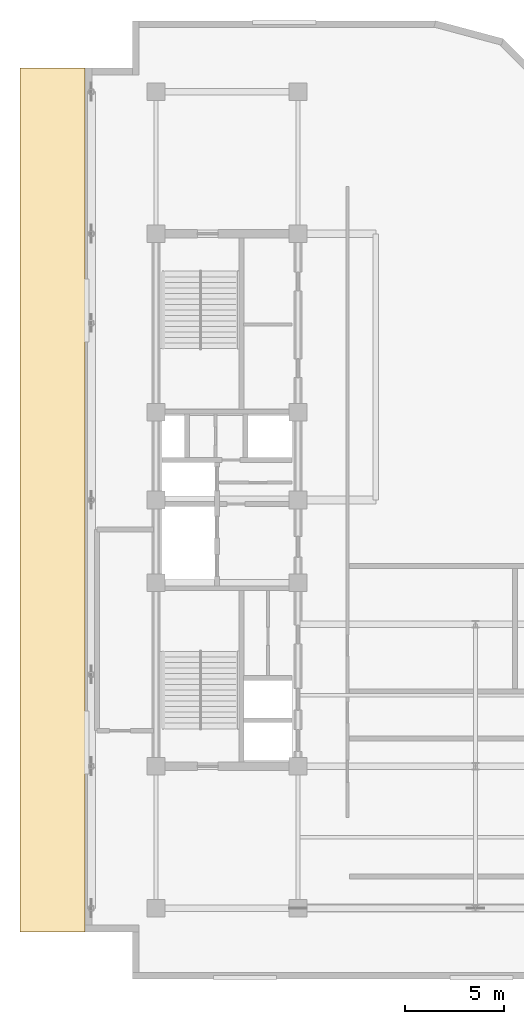
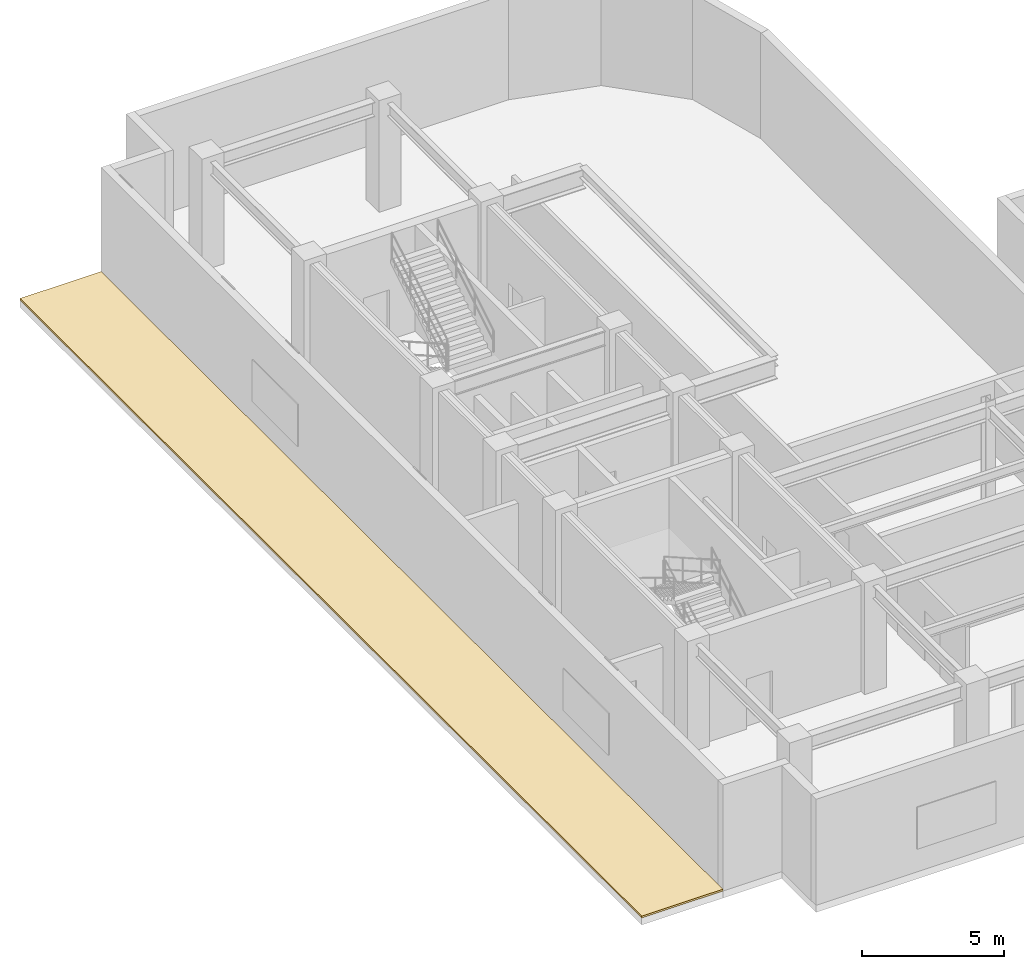
# One storey, part 10 of 13: 1 covering.
"""IFC4 building model written with IfcOpenShell, lengths in metres."""

from ifc_helpers import new_model, entity, si_unit, converted_unit, direction, frame, origin_with_axes, place, context, subcontext, project, spatial, polyline, outline, extrude, material, layer, layer_set, type_object, element, save


model = new_model("IFC4")

# Units and contexts
model_context = context("Model", 3, precision=1e-05, world=origin_with_axes(), true_north=direction((0.0, 1.0)))
body_context = subcontext(model_context, "Body", "Model", "MODEL_VIEW")
ifc_project = project(units=[si_unit("LENGTHUNIT", "METRE"), si_unit("AREAUNIT", "SQUARE_METRE"), si_unit("VOLUMEUNIT", "CUBIC_METRE"), converted_unit("PLANEANGLEUNIT", "DEGREE", entity("IfcPlaneAngleMeasure", 0.017453292519943295), si_unit("PLANEANGLEUNIT", "RADIAN"), dimensions=[0, 0, 0, 0, 0, 0, 0]), si_unit("MASSUNIT", "GRAM", prefix="KILO"), si_unit("THERMODYNAMICTEMPERATUREUNIT", "KELVIN")], contexts=[model_context])

# Site, building, storey
site_placement = place(None, origin_with_axes())
site = spatial("IfcSite", under=ifc_project, at=site_placement, CompositionType="ELEMENT")
building_placement = place(site_placement, origin_with_axes())
building = spatial("IfcBuilding", under=site, at=building_placement, Name="Varnlund Millrace Tower", CompositionType="ELEMENT")
storey_placement = place(building_placement, frame((0.0, 0.0, 248.1), z_axis=(0.0, 0.0, 1.0), x_axis=(1.0, 0.0, 0.0)))
storey = spatial("IfcBuildingStorey", under=building, at=storey_placement, Name="L61", CompositionType="ELEMENT", Elevation=248.1)

# Covering
ifc_material = material(Name="Insulated EPDM waterproof roof membrane")
ifc_layer = layer(ifc_material, 0.12, Name="Insulated EPDM waterproof roof membrane")
ifc_layer_set = layer_set([ifc_layer], Name="Insulated EPDM waterproof roof membrane")
covering_type = type_object("IfcCoveringType", Name="Type-Roof-Membrane-120", PredefinedType="ROOFING", material=ifc_layer_set)
covering_placement = place(storey_placement, origin_with_axes())
element("IfcCovering", 1, at=covering_placement, inside=storey, type_object=covering_type, Name="Type-Roof-Membrane-120", PredefinedType="ROOFING", context=body_context, shape_type="SweptSolid", body=[
    extrude(outline(polyline([(7.8, 2.4), (7.8, 46.2), (4.5, 46.2), (4.5, 2.4), (7.8, 2.4)])), origin_with_axes(), (0.0, 0.0, 1.0), 0.08),
])

save(model, "model.ifc")
